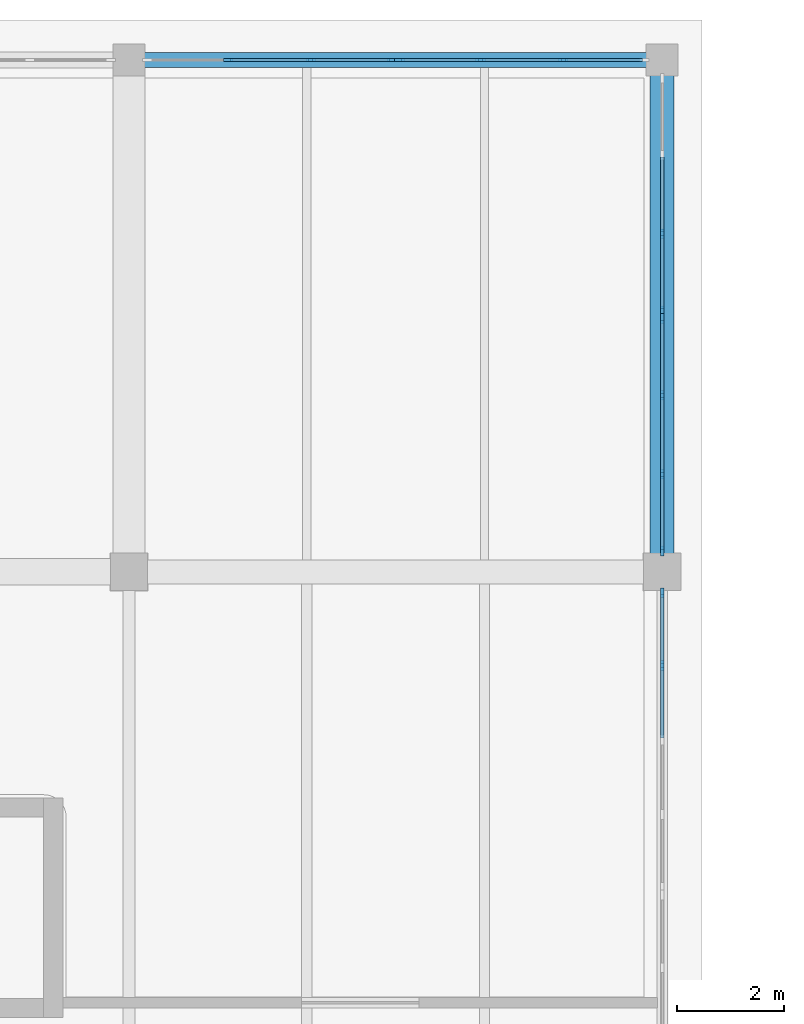
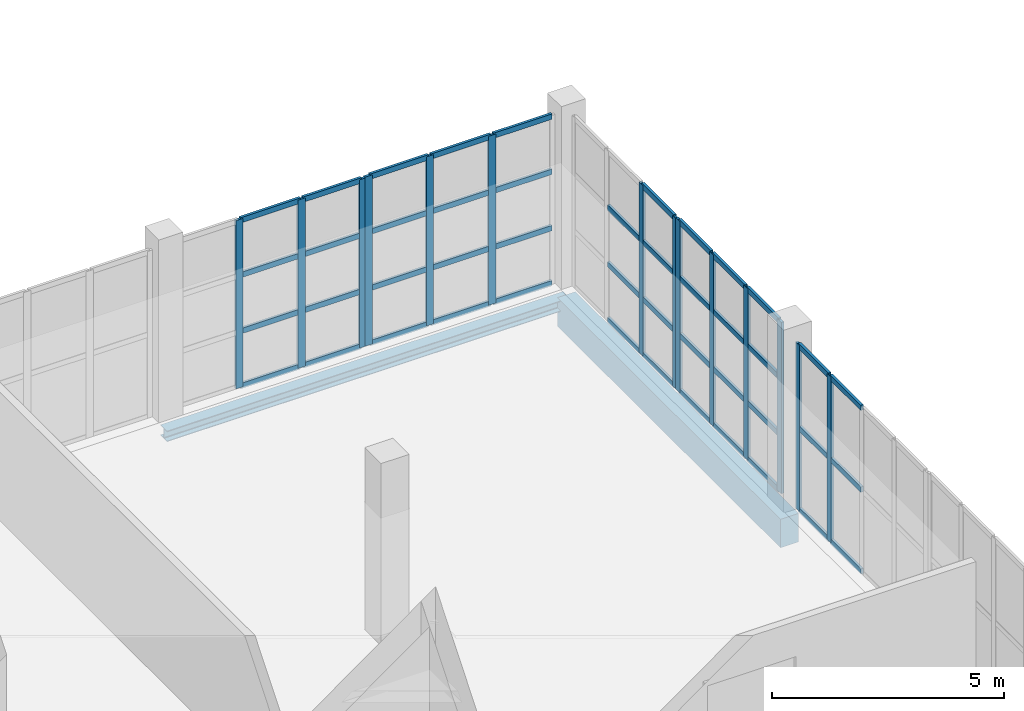
# One storey, part 54 of 121: 59 members, 2 beams, 5 elements without a shape of their own.
"""IFC4 building model written with IfcOpenShell, lengths in metres."""

from ifc_helpers import new_model, si_unit, direction, frame, origin, origin_2d, place, context, subcontext, project, spatial, rectangle, i_section, extrude, material, layer, layer_set, material_profile, profile_set, type_object, element, aggregate, save


model = new_model("IFC4")

# Units and contexts
model_context = context("Model", 3, precision=1e-05, world=origin(), true_north=direction((0.0, 1.0)))
body_context = subcontext(model_context, "Body", "Model", "MODEL_VIEW")
ifc_project = project(units=[si_unit("LENGTHUNIT", "METRE"), si_unit("AREAUNIT", "SQUARE_METRE"), si_unit("VOLUMEUNIT", "CUBIC_METRE"), si_unit("PLANEANGLEUNIT", "RADIAN"), si_unit("MASSUNIT", "GRAM", prefix="KILO")], contexts=[model_context])

# Site, building, storey
site_placement = place(None, origin())
site = spatial("IfcSite", under=ifc_project, at=site_placement, CompositionType="ELEMENT")
building_placement = place(site_placement, origin())
building = spatial("IfcBuilding", under=site, at=building_placement, Name="Zereglee Splitstone Museum", CompositionType="ELEMENT")
storey_placement = place(building_placement, origin())
storey = spatial("IfcBuildingStorey", under=building, at=storey_placement, Name="L00", CompositionType="ELEMENT", Elevation=0.0)

# Curtain wall, members
ifc_material_1 = material(Name="Triple-glazed low-E argon glass and bronze-anodised aluminium", Category="aluminium")
ifc_layer_1 = layer(ifc_material_1, 0.179931640625)
ifc_layer_set_1 = layer_set([ifc_layer_1], Name="Triple-glazed low-E argon glass and bronze-anodised aluminium")
curtain_wall_type_1 = type_object("IfcCurtainWallType", Name="CW-0559-436", PredefinedType="USERDEFINED", material=ifc_layer_set_1)
curtain_wall_1_placement = place(storey_placement, origin())
curtain_wall_1 = element("IfcCurtainWall", 1, at=curtain_wall_1_placement, inside=storey, type_object=curtain_wall_type_1, Name="Glazed Curtain Wall CW-0559-436 (L00)", ObjectType="GLAZED CURTAIN WALL", PredefinedType="USERDEFINED")
ifc_material_2 = material(Name="Thermally broken bronze-anodised aluminium", Category="aluminium")
ifc_material_profile_1 = material_profile(ifc_material_2, rectangle(XDim=0.06494140625, YDim=0.179931640625, at=origin_2d()), Name="CW MULL 65x180")
ifc_profile_set_1 = profile_set([ifc_material_profile_1], Name="Thermally broken bronze-anodised aluminium")
member_type_1 = type_object("IfcMemberType", Name="CWM-01", PredefinedType="MULLION", material=ifc_profile_set_1)
member_1_placement = place(storey_placement, frame((205.199951171875, 48.64453125, 0.0), z_axis=(0.0, 0.0, 1.0), x_axis=(-1.0, 0.0, 0.0)))
member_1 = element("IfcMember", 2, at=member_1_placement, type_object=member_type_1, Name="CW-0559-436 mullion 4", PredefinedType="MULLION", context=body_context, shape_type="SweptSolid", body=[
    extrude(rectangle(XDim=0.06494140625, YDim=0.179931640625, at=origin_2d()), origin(), (0.0, 0.0, 1.0), 4.360107421875),
])
member_2_placement = place(storey_placement, frame((205.199951171875, 50.009521484375, 0.0), z_axis=(0.0, 0.0, 1.0), x_axis=(-1.0, 0.0, 0.0)))
member_2 = element("IfcMember", 3, at=member_2_placement, type_object=member_type_1, Name="CW-0559-436 mullion 5", PredefinedType="MULLION", context=body_context, shape_type="SweptSolid", body=[
    extrude(rectangle(XDim=0.06494140625, YDim=0.179931640625, at=origin_2d()), origin(), (0.0, 0.0, 1.0), 4.360107421875),
])

ifc_layer_2 = layer(ifc_material_1, 0.179931640625)
ifc_layer_set_2 = layer_set([ifc_layer_2], Name="Triple-glazed low-E argon glass and bronze-anodised aluminium")
curtain_wall_type_2 = type_object("IfcCurtainWallType", Name="CW-0443-450", PredefinedType="USERDEFINED", material=ifc_layer_set_2)
curtain_wall_2_placement = place(storey_placement, origin())
curtain_wall_2 = element("IfcCurtainWall", 4, at=curtain_wall_2_placement, inside=storey, type_object=curtain_wall_type_2, Name="Glazed Curtain Wall CW-0443-450 (L00)", ObjectType="GLAZED CURTAIN WALL", PredefinedType="USERDEFINED")
member_3_placement = place(storey_placement, frame((205.199951171875, 50.79052734375, 0.0), z_axis=(0.0, 0.0, 1.0), x_axis=(-1.0, 0.0, 0.0)))
member_3 = element("IfcMember", 5, at=member_3_placement, type_object=member_type_1, Name="CW-0443-450 mullion 1", PredefinedType="MULLION", context=body_context, shape_type="SweptSolid", body=[
    extrude(rectangle(XDim=0.06494140625, YDim=0.179931640625, at=origin_2d()), origin(), (0.0, 0.0, 1.0), 4.5),
])
member_4_placement = place(storey_placement, frame((205.199951171875, 52.233642578125, 0.0), z_axis=(0.0, 0.0, 1.0), x_axis=(-1.0, 0.0, 0.0)))
member_4 = element("IfcMember", 6, at=member_4_placement, type_object=member_type_1, Name="CW-0443-450 mullion 2", PredefinedType="MULLION", context=body_context, shape_type="SweptSolid", body=[
    extrude(rectangle(XDim=0.06494140625, YDim=0.179931640625, at=origin_2d()), origin(), (0.0, 0.0, 1.0), 4.5),
])
member_5_placement = place(storey_placement, frame((205.199951171875, 53.709228515625, 0.0), z_axis=(0.0, 0.0, 1.0), x_axis=(-1.0, 0.0, 0.0)))
member_5 = element("IfcMember", 7, at=member_5_placement, type_object=member_type_1, Name="CW-0443-450 mullion 3", PredefinedType="MULLION", context=body_context, shape_type="SweptSolid", body=[
    extrude(rectangle(XDim=0.06494140625, YDim=0.179931640625, at=origin_2d()), origin(), (0.0, 0.0, 1.0), 4.5),
])
member_6_placement = place(storey_placement, frame((205.199951171875, 55.152587890625, 0.0), z_axis=(0.0, 0.0, 1.0), x_axis=(-1.0, 0.0, 0.0)))
member_6 = element("IfcMember", 8, at=member_6_placement, type_object=member_type_1, Name="CW-0443-450 mullion 4", PredefinedType="MULLION", context=body_context, shape_type="SweptSolid", body=[
    extrude(rectangle(XDim=0.06494140625, YDim=0.179931640625, at=origin_2d()), origin(), (0.0, 0.0, 1.0), 4.5),
])

ifc_layer_3 = layer(ifc_material_1, 0.179931640625)
ifc_layer_set_3 = layer_set([ifc_layer_3], Name="Triple-glazed low-E argon glass and bronze-anodised aluminium")
curtain_wall_type_3 = type_object("IfcCurtainWallType", Name="CW-0443-448", PredefinedType="USERDEFINED", material=ifc_layer_set_3)
curtain_wall_3_placement = place(storey_placement, origin())
curtain_wall_3 = element("IfcCurtainWall", 9, at=curtain_wall_3_placement, inside=storey, type_object=curtain_wall_type_3, Name="Glazed Curtain Wall CW-0443-448 (L00)", ObjectType="GLAZED CURTAIN WALL", PredefinedType="USERDEFINED")
member_7_placement = place(storey_placement, frame((205.199951171875, 55.297607421875, 0.0), z_axis=(0.0, 0.0, 1.0), x_axis=(-1.0, 0.0, 0.0)))
member_7 = element("IfcMember", 10, at=member_7_placement, type_object=member_type_1, Name="CW-0443-448 mullion 1", PredefinedType="MULLION", context=body_context, shape_type="SweptSolid", body=[
    extrude(rectangle(XDim=0.06494140625, YDim=0.179931640625, at=origin_2d()), origin(), (0.0, 0.0, 1.0), 4.47998046875),
])
member_8_placement = place(storey_placement, frame((205.199951171875, 56.74072265625, 0.0), z_axis=(0.0, 0.0, 1.0), x_axis=(-1.0, 0.0, 0.0)))
member_8 = element("IfcMember", 11, at=member_8_placement, type_object=member_type_1, Name="CW-0443-448 mullion 2", PredefinedType="MULLION", context=body_context, shape_type="SweptSolid", body=[
    extrude(rectangle(XDim=0.06494140625, YDim=0.179931640625, at=origin_2d()), origin(), (0.0, 0.0, 1.0), 4.47998046875),
])

ifc_layer_4 = layer(ifc_material_1, 0.179931640625)
ifc_layer_set_4 = layer_set([ifc_layer_4], Name="Triple-glazed low-E argon glass and bronze-anodised aluminium")
curtain_wall_type_4 = type_object("IfcCurtainWallType", Name="CW-0465-444", PredefinedType="USERDEFINED", material=ifc_layer_set_4)
curtain_wall_4_placement = place(storey_placement, origin())
curtain_wall_4 = element("IfcCurtainWall", 12, at=curtain_wall_4_placement, inside=storey, type_object=curtain_wall_type_4, Name="Glazed Curtain Wall CW-0465-444 (L00)", ObjectType="GLAZED CURTAIN WALL", PredefinedType="USERDEFINED")
member_9_placement = place(storey_placement, frame((203.34130859375, 60.0, 0.0), z_axis=(0.0, 0.0, 1.0), x_axis=(0.0, -1.0, 0.0)))
member_9 = element("IfcMember", 13, at=member_9_placement, type_object=member_type_1, Name="CW-0465-444 mullion 2", PredefinedType="MULLION", context=body_context, shape_type="SweptSolid", body=[
    extrude(rectangle(XDim=0.06494140625, YDim=0.179931640625, at=origin_2d()), origin(), (0.0, 0.0, 1.0), 4.43994140625),
])
member_10_placement = place(storey_placement, frame((201.790771484375, 60.0, 0.0), z_axis=(0.0, 0.0, 1.0), x_axis=(0.0, -1.0, 0.0)))
member_10 = element("IfcMember", 14, at=member_10_placement, type_object=member_type_1, Name="CW-0465-444 mullion 3", PredefinedType="MULLION", context=body_context, shape_type="SweptSolid", body=[
    extrude(rectangle(XDim=0.06494140625, YDim=0.179931640625, at=origin_2d()), origin(), (0.0, 0.0, 1.0), 4.43994140625),
])
member_11_placement = place(storey_placement, frame((200.2724609375, 60.0, 0.0), z_axis=(0.0, 0.0, 1.0), x_axis=(0.0, -1.0, 0.0)))
member_11 = element("IfcMember", 15, at=member_11_placement, type_object=member_type_1, Name="CW-0465-444 mullion 4", PredefinedType="MULLION", context=body_context, shape_type="SweptSolid", body=[
    extrude(rectangle(XDim=0.06494140625, YDim=0.179931640625, at=origin_2d()), origin(), (0.0, 0.0, 1.0), 4.43994140625),
])

ifc_layer_5 = layer(ifc_material_1, 0.179931640625)
ifc_layer_set_5 = layer_set([ifc_layer_5], Name="Triple-glazed low-E argon glass and bronze-anodised aluminium")
curtain_wall_type_5 = type_object("IfcCurtainWallType", Name="CW-0465-442", PredefinedType="USERDEFINED", material=ifc_layer_set_5)
curtain_wall_5_placement = place(storey_placement, origin())
curtain_wall_5 = element("IfcCurtainWall", 16, at=curtain_wall_5_placement, inside=storey, type_object=curtain_wall_type_5, Name="Glazed Curtain Wall CW-0465-442 (L00)", ObjectType="GLAZED CURTAIN WALL", PredefinedType="USERDEFINED")
member_12_placement = place(storey_placement, frame((200.12744140625, 60.0, 0.0), z_axis=(0.0, 0.0, 1.0), x_axis=(0.0, -1.0, 0.0)))
member_12 = element("IfcMember", 17, at=member_12_placement, type_object=member_type_1, Name="CW-0465-442 mullion 1", PredefinedType="MULLION", context=body_context, shape_type="SweptSolid", body=[
    extrude(rectangle(XDim=0.06494140625, YDim=0.179931640625, at=origin_2d()), origin(), (0.0, 0.0, 1.0), 4.419921875),
])
member_13_placement = place(storey_placement, frame((198.609375, 60.0, 0.0), z_axis=(0.0, 0.0, 1.0), x_axis=(0.0, -1.0, 0.0)))
member_13 = element("IfcMember", 18, at=member_13_placement, type_object=member_type_1, Name="CW-0465-442 mullion 2", PredefinedType="MULLION", context=body_context, shape_type="SweptSolid", body=[
    extrude(rectangle(XDim=0.06494140625, YDim=0.179931640625, at=origin_2d()), origin(), (0.0, 0.0, 1.0), 4.419921875),
])
member_14_placement = place(storey_placement, frame((197.05859375, 60.0, 0.0), z_axis=(0.0, 0.0, 1.0), x_axis=(0.0, -1.0, 0.0)))
member_14 = element("IfcMember", 19, at=member_14_placement, type_object=member_type_1, Name="CW-0465-442 mullion 3", PredefinedType="MULLION", context=body_context, shape_type="SweptSolid", body=[
    extrude(rectangle(XDim=0.06494140625, YDim=0.179931640625, at=origin_2d()), origin(), (0.0, 0.0, 1.0), 4.419921875),
])

# Member
ifc_material_profile_2 = material_profile(ifc_material_2, rectangle(XDim=0.06494140625, YDim=0.139892578125, at=origin_2d()), Name="CW TRAN 65x140")
ifc_profile_set_2 = profile_set([ifc_material_profile_2], Name="Thermally broken bronze-anodised aluminium")
member_type_2 = type_object("IfcMemberType", Name="CWT-01", PredefinedType="USERDEFINED", material=ifc_profile_set_2)
member_15_placement = place(storey_placement, frame((205.199951171875, 47.27978515625, 0.032470703125), z_axis=(0.0, 1.0, 0.0), x_axis=(-1.0, 0.0, 0.0)))
member_15 = element("IfcMember", 20, at=member_15_placement, type_object=member_type_2, Name="CW-0559-436 transom 3.1", ObjectType="TRANSOM", PredefinedType="USERDEFINED", context=body_context, shape_type="SweptSolid", body=[
    extrude(rectangle(XDim=0.06494140625, YDim=0.139892578125, at=origin_2d()), origin(), (0.0, 0.0, 1.0), 1.332275390625),
])

member_16_placement = place(storey_placement, frame((205.199951171875, 47.27978515625, 2.179931640625), z_axis=(0.0, 1.0, 0.0), x_axis=(-1.0, 0.0, 0.0)))
member_16 = element("IfcMember", 21, at=member_16_placement, type_object=member_type_2, Name="CW-0559-436 transom 3.2", ObjectType="TRANSOM", PredefinedType="USERDEFINED", context=body_context, shape_type="SweptSolid", body=[
    extrude(rectangle(XDim=0.06494140625, YDim=0.139892578125, at=origin_2d()), origin(), (0.0, 0.0, 1.0), 1.332275390625),
])

member_17_placement = place(storey_placement, frame((205.199951171875, 47.27978515625, 4.327392578125), z_axis=(0.0, 1.0, 0.0), x_axis=(-1.0, 0.0, 0.0)))
member_17 = element("IfcMember", 22, at=member_17_placement, type_object=member_type_2, Name="CW-0559-436 transom 3.3", ObjectType="TRANSOM", PredefinedType="USERDEFINED", context=body_context, shape_type="SweptSolid", body=[
    extrude(rectangle(XDim=0.06494140625, YDim=0.139892578125, at=origin_2d()), origin(), (0.0, 0.0, 1.0), 1.332275390625),
])

member_18_placement = place(storey_placement, frame((205.199951171875, 48.67724609375, 0.032470703125), z_axis=(0.0, 1.0, 0.0), x_axis=(-1.0, 0.0, 0.0)))
member_18 = element("IfcMember", 23, at=member_18_placement, type_object=member_type_2, Name="CW-0559-436 transom 4.1", ObjectType="TRANSOM", PredefinedType="USERDEFINED", context=body_context, shape_type="SweptSolid", body=[
    extrude(rectangle(XDim=0.06494140625, YDim=0.139892578125, at=origin_2d()), origin(), (0.0, 0.0, 1.0), 1.2998046875),
])

member_19_placement = place(storey_placement, frame((205.199951171875, 48.67724609375, 2.179931640625), z_axis=(0.0, 1.0, 0.0), x_axis=(-1.0, 0.0, 0.0)))
member_19 = element("IfcMember", 24, at=member_19_placement, type_object=member_type_2, Name="CW-0559-436 transom 4.2", ObjectType="TRANSOM", PredefinedType="USERDEFINED", context=body_context, shape_type="SweptSolid", body=[
    extrude(rectangle(XDim=0.06494140625, YDim=0.139892578125, at=origin_2d()), origin(), (0.0, 0.0, 1.0), 1.2998046875),
])

member_20_placement = place(storey_placement, frame((205.199951171875, 48.67724609375, 4.327392578125), z_axis=(0.0, 1.0, 0.0), x_axis=(-1.0, 0.0, 0.0)))
member_20 = element("IfcMember", 25, at=member_20_placement, type_object=member_type_2, Name="CW-0559-436 transom 4.3", ObjectType="TRANSOM", PredefinedType="USERDEFINED", context=body_context, shape_type="SweptSolid", body=[
    extrude(rectangle(XDim=0.06494140625, YDim=0.139892578125, at=origin_2d()), origin(), (0.0, 0.0, 1.0), 1.2998046875),
])

aggregate(curtain_wall_1, [member_1, member_2, member_15, member_16, member_17, member_18, member_19, member_20])

member_21_placement = place(storey_placement, frame((205.199951171875, 50.822998046875, 0.032470703125), z_axis=(0.0, 1.0, 0.0), x_axis=(-1.0, 0.0, 0.0)))
member_21 = element("IfcMember", 26, at=member_21_placement, type_object=member_type_2, Name="CW-0443-450 transom 1.1", ObjectType="TRANSOM", PredefinedType="USERDEFINED", context=body_context, shape_type="SweptSolid", body=[
    extrude(rectangle(XDim=0.06494140625, YDim=0.139892578125, at=origin_2d()), origin(), (0.0, 0.0, 1.0), 1.378173828125),
])

member_22_placement = place(storey_placement, frame((205.199951171875, 50.822998046875, 1.5), z_axis=(0.0, 1.0, 0.0), x_axis=(-1.0, 0.0, 0.0)))
member_22 = element("IfcMember", 27, at=member_22_placement, type_object=member_type_2, Name="CW-0443-450 transom 1.2", ObjectType="TRANSOM", PredefinedType="USERDEFINED", context=body_context, shape_type="SweptSolid", body=[
    extrude(rectangle(XDim=0.06494140625, YDim=0.139892578125, at=origin_2d()), origin(), (0.0, 0.0, 1.0), 1.378173828125),
])

member_23_placement = place(storey_placement, frame((205.199951171875, 50.822998046875, 3.0), z_axis=(0.0, 1.0, 0.0), x_axis=(-1.0, 0.0, 0.0)))
member_23 = element("IfcMember", 28, at=member_23_placement, type_object=member_type_2, Name="CW-0443-450 transom 1.3", ObjectType="TRANSOM", PredefinedType="USERDEFINED", context=body_context, shape_type="SweptSolid", body=[
    extrude(rectangle(XDim=0.06494140625, YDim=0.139892578125, at=origin_2d()), origin(), (0.0, 0.0, 1.0), 1.378173828125),
])

member_24_placement = place(storey_placement, frame((205.199951171875, 50.822998046875, 4.467529296875), z_axis=(0.0, 1.0, 0.0), x_axis=(-1.0, 0.0, 0.0)))
member_24 = element("IfcMember", 29, at=member_24_placement, type_object=member_type_2, Name="CW-0443-450 transom 1.4", ObjectType="TRANSOM", PredefinedType="USERDEFINED", context=body_context, shape_type="SweptSolid", body=[
    extrude(rectangle(XDim=0.06494140625, YDim=0.139892578125, at=origin_2d()), origin(), (0.0, 0.0, 1.0), 1.378173828125),
])

member_25_placement = place(storey_placement, frame((205.199951171875, 52.26611328125, 0.032470703125), z_axis=(0.0, 1.0, 0.0), x_axis=(-1.0, 0.0, 0.0)))
member_25 = element("IfcMember", 30, at=member_25_placement, type_object=member_type_2, Name="CW-0443-450 transom 2.1", ObjectType="TRANSOM", PredefinedType="USERDEFINED", context=body_context, shape_type="SweptSolid", body=[
    extrude(rectangle(XDim=0.06494140625, YDim=0.139892578125, at=origin_2d()), origin(), (0.0, 0.0, 1.0), 1.41064453125),
])

member_26_placement = place(storey_placement, frame((205.199951171875, 52.26611328125, 1.5), z_axis=(0.0, 1.0, 0.0), x_axis=(-1.0, 0.0, 0.0)))
member_26 = element("IfcMember", 31, at=member_26_placement, type_object=member_type_2, Name="CW-0443-450 transom 2.2", ObjectType="TRANSOM", PredefinedType="USERDEFINED", context=body_context, shape_type="SweptSolid", body=[
    extrude(rectangle(XDim=0.06494140625, YDim=0.139892578125, at=origin_2d()), origin(), (0.0, 0.0, 1.0), 1.41064453125),
])

member_27_placement = place(storey_placement, frame((205.199951171875, 52.26611328125, 3.0), z_axis=(0.0, 1.0, 0.0), x_axis=(-1.0, 0.0, 0.0)))
member_27 = element("IfcMember", 32, at=member_27_placement, type_object=member_type_2, Name="CW-0443-450 transom 2.3", ObjectType="TRANSOM", PredefinedType="USERDEFINED", context=body_context, shape_type="SweptSolid", body=[
    extrude(rectangle(XDim=0.06494140625, YDim=0.139892578125, at=origin_2d()), origin(), (0.0, 0.0, 1.0), 1.41064453125),
])

member_28_placement = place(storey_placement, frame((205.199951171875, 52.26611328125, 4.467529296875), z_axis=(0.0, 1.0, 0.0), x_axis=(-1.0, 0.0, 0.0)))
member_28 = element("IfcMember", 33, at=member_28_placement, type_object=member_type_2, Name="CW-0443-450 transom 2.4", ObjectType="TRANSOM", PredefinedType="USERDEFINED", context=body_context, shape_type="SweptSolid", body=[
    extrude(rectangle(XDim=0.06494140625, YDim=0.139892578125, at=origin_2d()), origin(), (0.0, 0.0, 1.0), 1.41064453125),
])

member_29_placement = place(storey_placement, frame((205.199951171875, 53.741943359375, 0.032470703125), z_axis=(0.0, 1.0, 0.0), x_axis=(-1.0, 0.0, 0.0)))
member_29 = element("IfcMember", 34, at=member_29_placement, type_object=member_type_2, Name="CW-0443-450 transom 3.1", ObjectType="TRANSOM", PredefinedType="USERDEFINED", context=body_context, shape_type="SweptSolid", body=[
    extrude(rectangle(XDim=0.06494140625, YDim=0.139892578125, at=origin_2d()), origin(), (0.0, 0.0, 1.0), 1.378173828125),
])

member_30_placement = place(storey_placement, frame((205.199951171875, 53.741943359375, 1.5), z_axis=(0.0, 1.0, 0.0), x_axis=(-1.0, 0.0, 0.0)))
member_30 = element("IfcMember", 35, at=member_30_placement, type_object=member_type_2, Name="CW-0443-450 transom 3.2", ObjectType="TRANSOM", PredefinedType="USERDEFINED", context=body_context, shape_type="SweptSolid", body=[
    extrude(rectangle(XDim=0.06494140625, YDim=0.139892578125, at=origin_2d()), origin(), (0.0, 0.0, 1.0), 1.378173828125),
])

member_31_placement = place(storey_placement, frame((205.199951171875, 53.741943359375, 3.0), z_axis=(0.0, 1.0, 0.0), x_axis=(-1.0, 0.0, 0.0)))
member_31 = element("IfcMember", 36, at=member_31_placement, type_object=member_type_2, Name="CW-0443-450 transom 3.3", ObjectType="TRANSOM", PredefinedType="USERDEFINED", context=body_context, shape_type="SweptSolid", body=[
    extrude(rectangle(XDim=0.06494140625, YDim=0.139892578125, at=origin_2d()), origin(), (0.0, 0.0, 1.0), 1.378173828125),
])

member_32_placement = place(storey_placement, frame((205.199951171875, 53.741943359375, 4.467529296875), z_axis=(0.0, 1.0, 0.0), x_axis=(-1.0, 0.0, 0.0)))
member_32 = element("IfcMember", 37, at=member_32_placement, type_object=member_type_2, Name="CW-0443-450 transom 3.4", ObjectType="TRANSOM", PredefinedType="USERDEFINED", context=body_context, shape_type="SweptSolid", body=[
    extrude(rectangle(XDim=0.06494140625, YDim=0.139892578125, at=origin_2d()), origin(), (0.0, 0.0, 1.0), 1.378173828125),
])

aggregate(curtain_wall_2, [member_3, member_4, member_5, member_6, member_21, member_22, member_23, member_24, member_25, member_26, member_27, member_28, member_29, member_30, member_31, member_32])

member_33_placement = place(storey_placement, frame((205.199951171875, 55.330078125, 0.032470703125), z_axis=(0.0, 1.0, 0.0), x_axis=(-1.0, 0.0, 0.0)))
member_33 = element("IfcMember", 38, at=member_33_placement, type_object=member_type_2, Name="CW-0443-448 transom 1.1", ObjectType="TRANSOM", PredefinedType="USERDEFINED", context=body_context, shape_type="SweptSolid", body=[
    extrude(rectangle(XDim=0.06494140625, YDim=0.139892578125, at=origin_2d()), origin(), (0.0, 0.0, 1.0), 1.378173828125),
])

member_34_placement = place(storey_placement, frame((205.199951171875, 55.330078125, 1.493408203125), z_axis=(0.0, 1.0, 0.0), x_axis=(-1.0, 0.0, 0.0)))
member_34 = element("IfcMember", 39, at=member_34_placement, type_object=member_type_2, Name="CW-0443-448 transom 1.2", ObjectType="TRANSOM", PredefinedType="USERDEFINED", context=body_context, shape_type="SweptSolid", body=[
    extrude(rectangle(XDim=0.06494140625, YDim=0.139892578125, at=origin_2d()), origin(), (0.0, 0.0, 1.0), 1.378173828125),
])

member_35_placement = place(storey_placement, frame((205.199951171875, 55.330078125, 2.98681640625), z_axis=(0.0, 1.0, 0.0), x_axis=(-1.0, 0.0, 0.0)))
member_35 = element("IfcMember", 40, at=member_35_placement, type_object=member_type_2, Name="CW-0443-448 transom 1.3", ObjectType="TRANSOM", PredefinedType="USERDEFINED", context=body_context, shape_type="SweptSolid", body=[
    extrude(rectangle(XDim=0.06494140625, YDim=0.139892578125, at=origin_2d()), origin(), (0.0, 0.0, 1.0), 1.378173828125),
])

member_36_placement = place(storey_placement, frame((205.199951171875, 55.330078125, 4.447509765625), z_axis=(0.0, 1.0, 0.0), x_axis=(-1.0, 0.0, 0.0)))
member_36 = element("IfcMember", 41, at=member_36_placement, type_object=member_type_2, Name="CW-0443-448 transom 1.4", ObjectType="TRANSOM", PredefinedType="USERDEFINED", context=body_context, shape_type="SweptSolid", body=[
    extrude(rectangle(XDim=0.06494140625, YDim=0.139892578125, at=origin_2d()), origin(), (0.0, 0.0, 1.0), 1.378173828125),
])

member_37_placement = place(storey_placement, frame((205.199951171875, 56.773193359375, 0.032470703125), z_axis=(0.0, 1.0, 0.0), x_axis=(-1.0, 0.0, 0.0)))
member_37 = element("IfcMember", 42, at=member_37_placement, type_object=member_type_2, Name="CW-0443-448 transom 2.1", ObjectType="TRANSOM", PredefinedType="USERDEFINED", context=body_context, shape_type="SweptSolid", body=[
    extrude(rectangle(XDim=0.06494140625, YDim=0.139892578125, at=origin_2d()), origin(), (0.0, 0.0, 1.0), 1.41064453125),
])

member_38_placement = place(storey_placement, frame((205.199951171875, 56.773193359375, 1.493408203125), z_axis=(0.0, 1.0, 0.0), x_axis=(-1.0, 0.0, 0.0)))
member_38 = element("IfcMember", 43, at=member_38_placement, type_object=member_type_2, Name="CW-0443-448 transom 2.2", ObjectType="TRANSOM", PredefinedType="USERDEFINED", context=body_context, shape_type="SweptSolid", body=[
    extrude(rectangle(XDim=0.06494140625, YDim=0.139892578125, at=origin_2d()), origin(), (0.0, 0.0, 1.0), 1.41064453125),
])

member_39_placement = place(storey_placement, frame((205.199951171875, 56.773193359375, 2.98681640625), z_axis=(0.0, 1.0, 0.0), x_axis=(-1.0, 0.0, 0.0)))
member_39 = element("IfcMember", 44, at=member_39_placement, type_object=member_type_2, Name="CW-0443-448 transom 2.3", ObjectType="TRANSOM", PredefinedType="USERDEFINED", context=body_context, shape_type="SweptSolid", body=[
    extrude(rectangle(XDim=0.06494140625, YDim=0.139892578125, at=origin_2d()), origin(), (0.0, 0.0, 1.0), 1.41064453125),
])

aggregate(curtain_wall_3, [member_7, member_8, member_33, member_34, member_35, member_36, member_37, member_38, member_39])

member_40_placement = place(storey_placement, frame((204.826904296875, 60.0, 0.032470703125), z_axis=(-1.0, 0.0, 0.0), x_axis=(0.0, -1.0, 0.0)))
member_40 = element("IfcMember", 45, at=member_40_placement, type_object=member_type_2, Name="CW-0465-444 transom 1.1", ObjectType="TRANSOM", PredefinedType="USERDEFINED", context=body_context, shape_type="SweptSolid", body=[
    extrude(rectangle(XDim=0.06494140625, YDim=0.139892578125, at=origin_2d()), origin(), (0.0, 0.0, 1.0), 1.453125),
])

member_41_placement = place(storey_placement, frame((204.826904296875, 60.0, 1.47998046875), z_axis=(-1.0, 0.0, 0.0), x_axis=(0.0, -1.0, 0.0)))
member_41 = element("IfcMember", 46, at=member_41_placement, type_object=member_type_2, Name="CW-0465-444 transom 1.2", ObjectType="TRANSOM", PredefinedType="USERDEFINED", context=body_context, shape_type="SweptSolid", body=[
    extrude(rectangle(XDim=0.06494140625, YDim=0.139892578125, at=origin_2d()), origin(), (0.0, 0.0, 1.0), 1.453125),
])

member_42_placement = place(storey_placement, frame((204.826904296875, 60.0, 2.9599609375), z_axis=(-1.0, 0.0, 0.0), x_axis=(0.0, -1.0, 0.0)))
member_42 = element("IfcMember", 47, at=member_42_placement, type_object=member_type_2, Name="CW-0465-444 transom 1.3", ObjectType="TRANSOM", PredefinedType="USERDEFINED", context=body_context, shape_type="SweptSolid", body=[
    extrude(rectangle(XDim=0.06494140625, YDim=0.139892578125, at=origin_2d()), origin(), (0.0, 0.0, 1.0), 1.453125),
])

member_43_placement = place(storey_placement, frame((204.826904296875, 60.0, 4.407470703125), z_axis=(-1.0, 0.0, 0.0), x_axis=(0.0, -1.0, 0.0)))
member_43 = element("IfcMember", 48, at=member_43_placement, type_object=member_type_2, Name="CW-0465-444 transom 1.4", ObjectType="TRANSOM", PredefinedType="USERDEFINED", context=body_context, shape_type="SweptSolid", body=[
    extrude(rectangle(XDim=0.06494140625, YDim=0.139892578125, at=origin_2d()), origin(), (0.0, 0.0, 1.0), 1.453125),
])

member_44_placement = place(storey_placement, frame((203.308837890625, 60.0, 0.032470703125), z_axis=(-1.0, 0.0, 0.0), x_axis=(0.0, -1.0, 0.0)))
member_44 = element("IfcMember", 49, at=member_44_placement, type_object=member_type_2, Name="CW-0465-444 transom 2.1", ObjectType="TRANSOM", PredefinedType="USERDEFINED", context=body_context, shape_type="SweptSolid", body=[
    extrude(rectangle(XDim=0.06494140625, YDim=0.139892578125, at=origin_2d()), origin(), (0.0, 0.0, 1.0), 1.485595703125),
])

member_45_placement = place(storey_placement, frame((203.308837890625, 60.0, 1.47998046875), z_axis=(-1.0, 0.0, 0.0), x_axis=(0.0, -1.0, 0.0)))
member_45 = element("IfcMember", 50, at=member_45_placement, type_object=member_type_2, Name="CW-0465-444 transom 2.2", ObjectType="TRANSOM", PredefinedType="USERDEFINED", context=body_context, shape_type="SweptSolid", body=[
    extrude(rectangle(XDim=0.06494140625, YDim=0.139892578125, at=origin_2d()), origin(), (0.0, 0.0, 1.0), 1.485595703125),
])

member_46_placement = place(storey_placement, frame((203.308837890625, 60.0, 2.9599609375), z_axis=(-1.0, 0.0, 0.0), x_axis=(0.0, -1.0, 0.0)))
member_46 = element("IfcMember", 51, at=member_46_placement, type_object=member_type_2, Name="CW-0465-444 transom 2.3", ObjectType="TRANSOM", PredefinedType="USERDEFINED", context=body_context, shape_type="SweptSolid", body=[
    extrude(rectangle(XDim=0.06494140625, YDim=0.139892578125, at=origin_2d()), origin(), (0.0, 0.0, 1.0), 1.485595703125),
])

member_47_placement = place(storey_placement, frame((203.308837890625, 60.0, 4.407470703125), z_axis=(-1.0, 0.0, 0.0), x_axis=(0.0, -1.0, 0.0)))
member_47 = element("IfcMember", 52, at=member_47_placement, type_object=member_type_2, Name="CW-0465-444 transom 2.4", ObjectType="TRANSOM", PredefinedType="USERDEFINED", context=body_context, shape_type="SweptSolid", body=[
    extrude(rectangle(XDim=0.06494140625, YDim=0.139892578125, at=origin_2d()), origin(), (0.0, 0.0, 1.0), 1.485595703125),
])

member_48_placement = place(storey_placement, frame((201.758056640625, 60.0, 0.032470703125), z_axis=(-1.0, 0.0, 0.0), x_axis=(0.0, -1.0, 0.0)))
member_48 = element("IfcMember", 53, at=member_48_placement, type_object=member_type_2, Name="CW-0465-444 transom 3.1", ObjectType="TRANSOM", PredefinedType="USERDEFINED", context=body_context, shape_type="SweptSolid", body=[
    extrude(rectangle(XDim=0.06494140625, YDim=0.139892578125, at=origin_2d()), origin(), (0.0, 0.0, 1.0), 1.453125),
])

member_49_placement = place(storey_placement, frame((201.758056640625, 60.0, 1.47998046875), z_axis=(-1.0, 0.0, 0.0), x_axis=(0.0, -1.0, 0.0)))
member_49 = element("IfcMember", 54, at=member_49_placement, type_object=member_type_2, Name="CW-0465-444 transom 3.2", ObjectType="TRANSOM", PredefinedType="USERDEFINED", context=body_context, shape_type="SweptSolid", body=[
    extrude(rectangle(XDim=0.06494140625, YDim=0.139892578125, at=origin_2d()), origin(), (0.0, 0.0, 1.0), 1.453125),
])

member_50_placement = place(storey_placement, frame((201.758056640625, 60.0, 2.9599609375), z_axis=(-1.0, 0.0, 0.0), x_axis=(0.0, -1.0, 0.0)))
member_50 = element("IfcMember", 55, at=member_50_placement, type_object=member_type_2, Name="CW-0465-444 transom 3.3", ObjectType="TRANSOM", PredefinedType="USERDEFINED", context=body_context, shape_type="SweptSolid", body=[
    extrude(rectangle(XDim=0.06494140625, YDim=0.139892578125, at=origin_2d()), origin(), (0.0, 0.0, 1.0), 1.453125),
])

member_51_placement = place(storey_placement, frame((201.758056640625, 60.0, 4.407470703125), z_axis=(-1.0, 0.0, 0.0), x_axis=(0.0, -1.0, 0.0)))
member_51 = element("IfcMember", 56, at=member_51_placement, type_object=member_type_2, Name="CW-0465-444 transom 3.4", ObjectType="TRANSOM", PredefinedType="USERDEFINED", context=body_context, shape_type="SweptSolid", body=[
    extrude(rectangle(XDim=0.06494140625, YDim=0.139892578125, at=origin_2d()), origin(), (0.0, 0.0, 1.0), 1.453125),
])

aggregate(curtain_wall_4, [member_9, member_10, member_11, member_40, member_41, member_42, member_43, member_44, member_45, member_46, member_47, member_48, member_49, member_50, member_51])

member_52_placement = place(storey_placement, frame((200.094970703125, 60.0, 0.032470703125), z_axis=(-1.0, 0.0, 0.0), x_axis=(0.0, -1.0, 0.0)))
member_52 = element("IfcMember", 57, at=member_52_placement, type_object=member_type_2, Name="CW-0465-442 transom 1.1", ObjectType="TRANSOM", PredefinedType="USERDEFINED", context=body_context, shape_type="SweptSolid", body=[
    extrude(rectangle(XDim=0.06494140625, YDim=0.139892578125, at=origin_2d()), origin(), (0.0, 0.0, 1.0), 1.453125),
])

member_53_placement = place(storey_placement, frame((200.094970703125, 60.0, 1.473388671875), z_axis=(-1.0, 0.0, 0.0), x_axis=(0.0, -1.0, 0.0)))
member_53 = element("IfcMember", 58, at=member_53_placement, type_object=member_type_2, Name="CW-0465-442 transom 1.2", ObjectType="TRANSOM", PredefinedType="USERDEFINED", context=body_context, shape_type="SweptSolid", body=[
    extrude(rectangle(XDim=0.06494140625, YDim=0.139892578125, at=origin_2d()), origin(), (0.0, 0.0, 1.0), 1.453125),
])

member_54_placement = place(storey_placement, frame((200.094970703125, 60.0, 2.94677734375), z_axis=(-1.0, 0.0, 0.0), x_axis=(0.0, -1.0, 0.0)))
member_54 = element("IfcMember", 59, at=member_54_placement, type_object=member_type_2, Name="CW-0465-442 transom 1.3", ObjectType="TRANSOM", PredefinedType="USERDEFINED", context=body_context, shape_type="SweptSolid", body=[
    extrude(rectangle(XDim=0.06494140625, YDim=0.139892578125, at=origin_2d()), origin(), (0.0, 0.0, 1.0), 1.453125),
])

member_55_placement = place(storey_placement, frame((200.094970703125, 60.0, 4.387451171875), z_axis=(-1.0, 0.0, 0.0), x_axis=(0.0, -1.0, 0.0)))
member_55 = element("IfcMember", 60, at=member_55_placement, type_object=member_type_2, Name="CW-0465-442 transom 1.4", ObjectType="TRANSOM", PredefinedType="USERDEFINED", context=body_context, shape_type="SweptSolid", body=[
    extrude(rectangle(XDim=0.06494140625, YDim=0.139892578125, at=origin_2d()), origin(), (0.0, 0.0, 1.0), 1.453125),
])

member_56_placement = place(storey_placement, frame((198.576904296875, 60.0, 0.032470703125), z_axis=(-1.0, 0.0, 0.0), x_axis=(0.0, -1.0, 0.0)))
member_56 = element("IfcMember", 61, at=member_56_placement, type_object=member_type_2, Name="CW-0465-442 transom 2.1", ObjectType="TRANSOM", PredefinedType="USERDEFINED", context=body_context, shape_type="SweptSolid", body=[
    extrude(rectangle(XDim=0.06494140625, YDim=0.139892578125, at=origin_2d()), origin(), (0.0, 0.0, 1.0), 1.48583984375),
])

member_57_placement = place(storey_placement, frame((198.576904296875, 60.0, 1.473388671875), z_axis=(-1.0, 0.0, 0.0), x_axis=(0.0, -1.0, 0.0)))
member_57 = element("IfcMember", 62, at=member_57_placement, type_object=member_type_2, Name="CW-0465-442 transom 2.2", ObjectType="TRANSOM", PredefinedType="USERDEFINED", context=body_context, shape_type="SweptSolid", body=[
    extrude(rectangle(XDim=0.06494140625, YDim=0.139892578125, at=origin_2d()), origin(), (0.0, 0.0, 1.0), 1.48583984375),
])

member_58_placement = place(storey_placement, frame((198.576904296875, 60.0, 2.94677734375), z_axis=(-1.0, 0.0, 0.0), x_axis=(0.0, -1.0, 0.0)))
member_58 = element("IfcMember", 63, at=member_58_placement, type_object=member_type_2, Name="CW-0465-442 transom 2.3", ObjectType="TRANSOM", PredefinedType="USERDEFINED", context=body_context, shape_type="SweptSolid", body=[
    extrude(rectangle(XDim=0.06494140625, YDim=0.139892578125, at=origin_2d()), origin(), (0.0, 0.0, 1.0), 1.48583984375),
])

member_59_placement = place(storey_placement, frame((198.576904296875, 60.0, 4.387451171875), z_axis=(-1.0, 0.0, 0.0), x_axis=(0.0, -1.0, 0.0)))
member_59 = element("IfcMember", 64, at=member_59_placement, type_object=member_type_2, Name="CW-0465-442 transom 2.4", ObjectType="TRANSOM", PredefinedType="USERDEFINED", context=body_context, shape_type="SweptSolid", body=[
    extrude(rectangle(XDim=0.06494140625, YDim=0.139892578125, at=origin_2d()), origin(), (0.0, 0.0, 1.0), 1.48583984375),
])

aggregate(curtain_wall_5, [member_12, member_13, member_14, member_52, member_53, member_54, member_55, member_56, member_57, member_58, member_59])

# Beams
ifc_material_3 = material(Name="Steel S355J2", Category="steel")
ifc_material_profile_3 = material_profile(ifc_material_3, i_section(OverallWidth=0.280029296875, OverallDepth=0.280029296875, WebThickness=0.010498046875, FlangeThickness=0.01806640625, FilletRadius=0.02392578125, at=origin_2d()), Name="HE 280 B")
ifc_profile_set_3 = profile_set([ifc_material_profile_3], Name="Steel S355J2")
beam_type_1 = type_object("IfcBeamType", Name="SP-03", PredefinedType="SPANDREL", material=ifc_profile_set_3)
beam_1_placement = place(storey_placement, frame((195.199951171875, 60.0, -0.56005859375), z_axis=(1.0, 0.0, 0.0), x_axis=(0.0, 1.0, 0.0)))
element("IfcBeam", 65, at=beam_1_placement, inside=storey, type_object=beam_type_1, Name="Primary Girder L00 G (195.2-205.2)", PredefinedType="SPANDREL", context=body_context, shape_type="SweptSolid", body=[
    extrude(i_section(OverallWidth=0.280029296875, OverallDepth=0.280029296875, WebThickness=0.010498046875, FlangeThickness=0.01806640625, FilletRadius=0.02392578125, at=origin_2d()), origin(), (0.0, 0.0, 1.0), 10.0),
])
ifc_material_4 = material(Name="Concrete C40/50", Category="concrete")
ifc_material_profile_4 = material_profile(ifc_material_4, rectangle(XDim=0.449951171875, YDim=0.75, at=origin_2d()), Name="RC 450x750")
ifc_profile_set_4 = profile_set([ifc_material_profile_4], Name="Concrete C40/50")
beam_type_2 = type_object("IfcBeamType", Name="SP-01", PredefinedType="SPANDREL", material=ifc_profile_set_4)
beam_2_placement = place(storey_placement, frame((205.199951171875, 50.39990234375, -0.794921875), z_axis=(0.0, 1.0, 0.0), x_axis=(-1.0, 0.0, 0.0)))
element("IfcBeam", 66, at=beam_2_placement, inside=storey, type_object=beam_type_2, Name="Primary Girder L00 23 (50.4-60.0)", PredefinedType="SPANDREL", context=body_context, shape_type="SweptSolid", body=[
    extrude(rectangle(XDim=0.449951171875, YDim=0.75, at=origin_2d()), origin(), (0.0, 0.0, 1.0), 9.60009765625),
])

save(model, "model.ifc")
